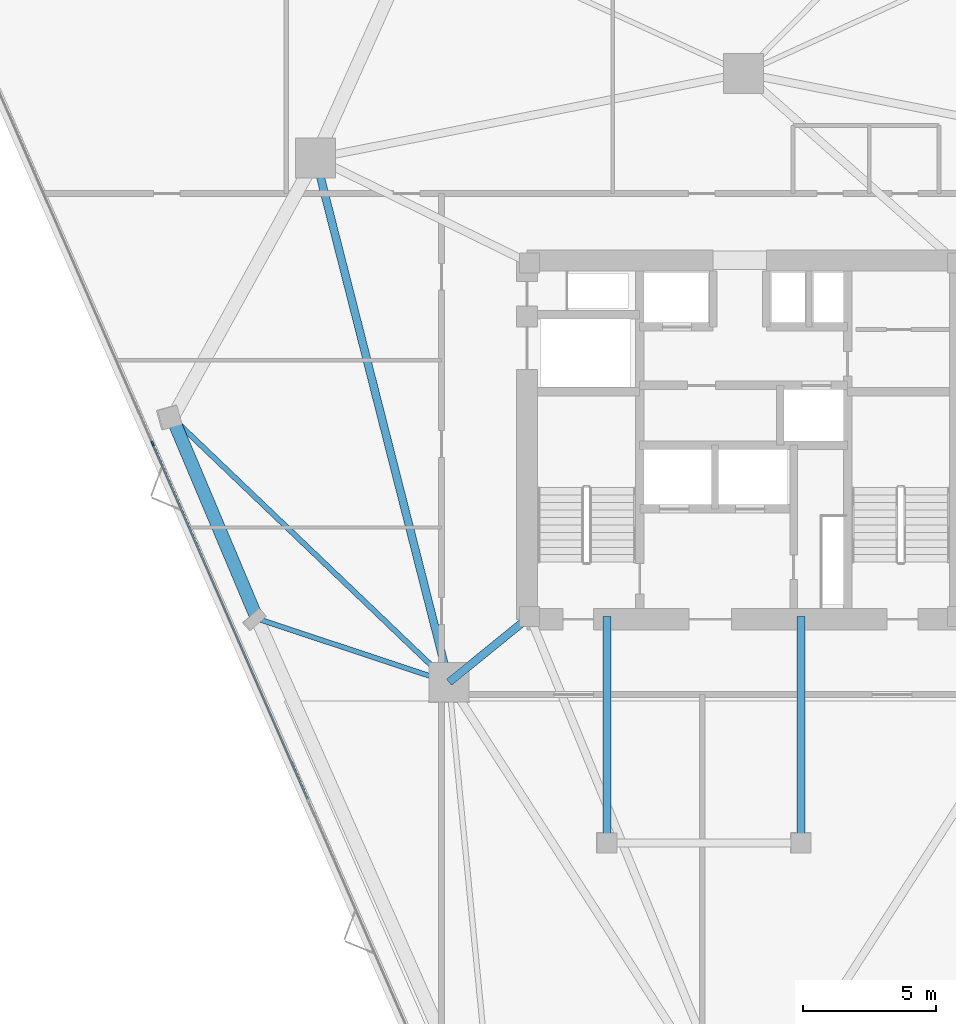
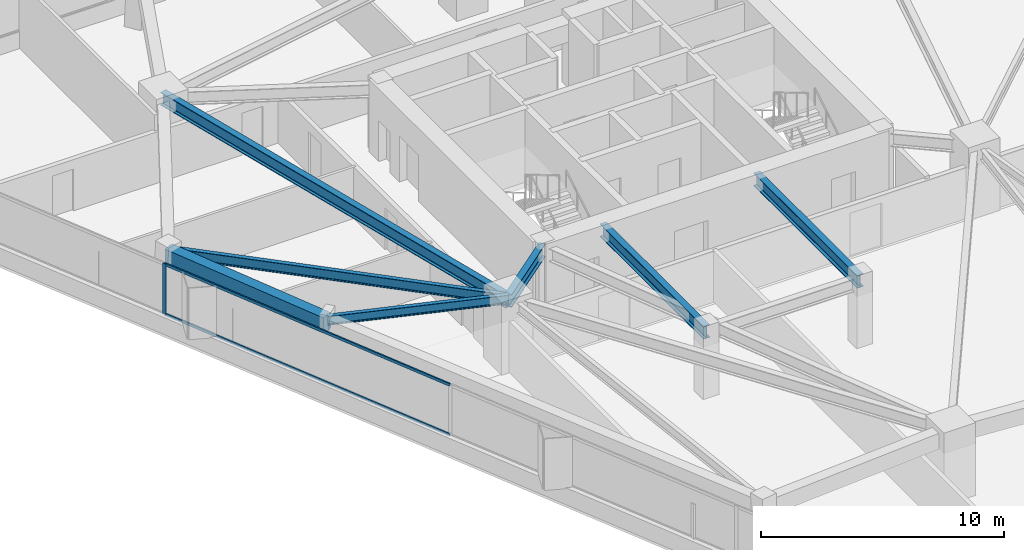
# One storey, part 4 of 13: 7 beams, 3 members, 1 element without a shape of its own.
"""IFC4 building model written with IfcOpenShell, lengths in metres."""

from ifc_helpers import new_model, si_unit, direction, frame, origin, origin_2d, place, context, subcontext, project, spatial, rectangle, i_section, extrude, material, layer, layer_set, material_profile, profile_set, type_object, element, aggregate, save


model = new_model("IFC4")

# Units and contexts
model_context = context("Model", 3, precision=1e-05, world=origin(), true_north=direction((0.0, 1.0)))
body_context = subcontext(model_context, "Body", "Model", "MODEL_VIEW")
ifc_project = project(units=[si_unit("LENGTHUNIT", "METRE"), si_unit("AREAUNIT", "SQUARE_METRE"), si_unit("VOLUMEUNIT", "CUBIC_METRE"), si_unit("PLANEANGLEUNIT", "RADIAN"), si_unit("MASSUNIT", "GRAM", prefix="KILO")], contexts=[model_context])

# Site, building, storey
site_placement = place(None, origin())
site = spatial("IfcSite", under=ifc_project, at=site_placement, CompositionType="ELEMENT")
building_placement = place(site_placement, origin())
building = spatial("IfcBuilding", under=site, at=building_placement, Name="Talyreon Biosciences Tower", CompositionType="ELEMENT")
storey_placement = place(building_placement, frame((0.0, 0.0, 145.449951171875)))
storey = spatial("IfcBuildingStorey", under=building, at=storey_placement, Name="L38", CompositionType="ELEMENT", Elevation=145.449951171875)

# Curtain wall, members
ifc_material_1 = material(Name="Thermally broken aluminium and low-E glazing", Category="aluminium")
ifc_layer = layer(ifc_material_1, 0.18505859375)
ifc_layer_set = layer_set([ifc_layer], Name="Thermally broken aluminium and low-E glazing")
curtain_wall_type = type_object("IfcCurtainWallType", Name="CurtainWall_Zone3Bioprocess", PredefinedType="NOTDEFINED", material=ifc_layer_set)
curtain_wall_placement = place(storey_placement, origin())
curtain_wall = element("IfcCurtainWall", 1, at=curtain_wall_placement, inside=storey, type_object=curtain_wall_type, Name="L38 Unitised Curtain Wall FCW-L38-00", PredefinedType="NOTDEFINED")
ifc_material_2 = material(Name="Anodised thermally broken aluminium", Category="aluminium")
ifc_material_profile_1 = material_profile(ifc_material_2, rectangle(XDim=0.06494140625, YDim=0.179931640625, at=origin_2d()), Name="ALUM MULLION 65x180")
ifc_profile_set_1 = profile_set([ifc_material_profile_1], Name="Anodised thermally broken aluminium")
member_type_1 = type_object("IfcMemberType", Name="CWMullion_65x180", PredefinedType="MULLION", material=ifc_profile_set_1)
member_1_placement = place(storey_placement, frame((43.762451171875, 67.861328125, 0.81005859375), z_axis=(0.0, 0.0, 1.0), x_axis=(-0.916646882049, -0.399698003034, 0.0)))
member_1 = element("IfcMember", 2, at=member_1_placement, type_object=member_type_1, Name="CW4 mullion 4", PredefinedType="MULLION", context=body_context, shape_type="SweptSolid", body=[
    extrude(rectangle(XDim=0.06494140625, YDim=0.179931640625, at=origin_2d()), origin(), (0.0, 0.0, 1.0), 2.56494140625),
])
ifc_material_profile_2 = material_profile(ifc_material_2, rectangle(XDim=0.06494140625, YDim=0.139892578125, at=origin_2d()), Name="ALUM TRANSOM 65x140")
ifc_profile_set_2 = profile_set([ifc_material_profile_2], Name="Anodised thermally broken aluminium")
member_type_2 = type_object("IfcMemberType", Name="CWTransom_65x140", PredefinedType="USERDEFINED", material=ifc_profile_set_2)
member_2_placement = place(storey_placement, frame((49.59765625, 54.479248046875, 0.842529296875), z_axis=(-0.399702786564, 0.916644796207, 0.0), x_axis=(-0.916644796207, -0.399702786564, 0.0)))
member_2 = element("IfcMember", 3, at=member_2_placement, type_object=member_type_2, Name="CW4 transom 3.1", ObjectType="TRANSOM", PredefinedType="USERDEFINED", context=body_context, shape_type="SweptSolid", body=[
    extrude(rectangle(XDim=0.06494140625, YDim=0.139892578125, at=origin_2d()), origin(), (0.0, 0.0, 1.0), 14.56640625),
])
member_3_placement = place(storey_placement, frame((49.59765625, 54.479248046875, 3.342529296875), z_axis=(-0.399702786564, 0.916644796207, 0.0), x_axis=(-0.916644796207, -0.399702786564, 0.0)))
member_3 = element("IfcMember", 4, at=member_3_placement, type_object=member_type_2, Name="CW4 transom 3.2", ObjectType="TRANSOM", PredefinedType="USERDEFINED", context=body_context, shape_type="SweptSolid", body=[
    extrude(rectangle(XDim=0.06494140625, YDim=0.139892578125, at=origin_2d()), origin(), (0.0, 0.0, 1.0), 14.56640625),
])
aggregate(curtain_wall, [member_1, member_2, member_3])

# Beams
ifc_material_3 = material(Name="Precast concrete C45/55", Category="concrete")
ifc_material_profile_3 = material_profile(ifc_material_3, rectangle(XDim=0.5, YDim=0.780029296875, at=origin_2d()), Name="RCB 500x780")
ifc_profile_set_3 = profile_set([ifc_material_profile_3], Name="Precast concrete C45/55")
beam_type_1 = type_object("IfcBeamType", Name="ExpressedSpandrel_500x780", PredefinedType="SPANDREL", material=ifc_profile_set_3)
beam_1_placement = place(storey_placement, frame((44.509521484375, 68.825439453125, 2.985107421875), z_axis=(0.388464554923, -0.921463666982, 0.0), x_axis=(0.921463666982, 0.388464554923, 0.0)))
element("IfcBeam", 5, at=beam_1_placement, inside=storey, type_object=beam_type_1, Name="L38 Expressed Horizontal Concrete Spandrel 10", PredefinedType="SPANDREL", context=body_context, shape_type="SweptSolid", body=[
    extrude(rectangle(XDim=0.5, YDim=0.780029296875, at=origin_2d()), origin(), (0.0, 0.0, 1.0), 8.194091796875),
])
ifc_material_4 = material(Name="Steel SM355", Category="steel")
ifc_material_profile_4 = material_profile(ifc_material_4, i_section(OverallWidth=0.300048828125, OverallDepth=0.64990234375, WebThickness=0.01611328125, FlangeThickness=0.031005859375, FilletRadius=0.027099609375, at=origin_2d()), Name="HE650B")
ifc_profile_set_4 = profile_set([ifc_material_profile_4], Name="Steel SM355")
beam_type_2 = type_object("IfcBeamType", Name="SteelBeam_HE650B", PredefinedType="BEAM", material=ifc_profile_set_4)
beam_2_placement = place(storey_placement, frame((49.897705078125, 78.5986328125, 3.050048828125), z_axis=(0.246537082299, -0.969133358755, 0.0), x_axis=(0.969133358755, 0.246537082299, 0.0)))
element("IfcBeam", 6, at=beam_2_placement, inside=storey, type_object=beam_type_2, Name="L38 Mega-Ring Girder 5", PredefinedType="BEAM", context=body_context, shape_type="SweptSolid", body=[
    extrude(i_section(OverallWidth=0.300048828125, OverallDepth=0.64990234375, WebThickness=0.01611328125, FlangeThickness=0.031005859375, FilletRadius=0.027099609375, at=origin_2d()), origin(), (0.0, 0.0, 1.0), 20.34619140625),
])
beam_3_placement = place(storey_placement, frame((57.949951171875, 61.35009765625, 3.050048828125), z_axis=(-0.775755154013, -0.631034025249, 0.0), x_axis=(0.631034025249, -0.775755154013, 0.0)))
element("IfcBeam", 7, at=beam_3_placement, inside=storey, type_object=beam_type_2, Name="L38 Radial Primary Girder 6", PredefinedType="BEAM", context=body_context, shape_type="SweptSolid", body=[
    extrude(i_section(OverallWidth=0.300048828125, OverallDepth=0.64990234375, WebThickness=0.01611328125, FlangeThickness=0.031005859375, FilletRadius=0.027099609375, at=origin_2d()), origin(), (0.0, 0.0, 1.0), 3.913818359375),
])
for number, where, z_axis, x_axis, name in (
    (8, (60.85009765625, 52.840087890625, 3.050048828125), (0.0, 1.0, 0.0), (-1.0, 0.0, 0.0), "L38 Crown Shaft Tie Girder W"),
    (9, (68.14990234375, 52.840087890625, 3.050048828125), (0.0, 1.0, 0.0), (-1.0, 0.0, 0.0), "L38 Crown Shaft Tie Girder E"),
):
    element("IfcBeam", number, at=place(storey_placement, frame(where, z_axis=z_axis, x_axis=x_axis)), inside=storey, type_object=beam_type_2, Name=name, PredefinedType="BEAM", context=body_context, shape_type="SweptSolid", body=[
        extrude(i_section(OverallWidth=0.300048828125, OverallDepth=0.64990234375, WebThickness=0.01611328125, FlangeThickness=0.031005859375, FilletRadius=0.027099609375, at=origin_2d()), origin(), (0.0, 0.0, 1.0), 8.510009765625),
    ])
ifc_material_profile_5 = material_profile(ifc_material_4, i_section(OverallWidth=0.18994140625, OverallDepth=0.449951171875, WebThickness=0.009521484375, FlangeThickness=0.0146484375, FilletRadius=0.02099609375, at=origin_2d()), Name="IPE450")
ifc_profile_set_5 = profile_set([ifc_material_profile_5], Name="Steel SM355")
beam_type_3 = type_object("IfcBeamType", Name="SteelJoist_IPE450", PredefinedType="JOIST", material=ifc_profile_set_5)
beam_4_placement = place(storey_placement, frame((54.913818359375, 58.88037109375, 3.150146484375), z_axis=(-0.949176335105, 0.314744793249, 0.0), x_axis=(-0.314744793249, -0.949176335105, 0.0)))
element("IfcBeam", 10, at=beam_4_placement, inside=storey, type_object=beam_type_3, Name="L38 Radial Composite Floor Joist PL-SW", PredefinedType="JOIST", context=body_context, shape_type="SweptSolid", body=[
    extrude(i_section(OverallWidth=0.18994140625, OverallDepth=0.449951171875, WebThickness=0.009521484375, FlangeThickness=0.0146484375, FilletRadius=0.02099609375, at=origin_2d()), origin(), (0.0, 0.0, 1.0), 7.60791015625),
])
ifc_material_profile_6 = material_profile(ifc_material_4, i_section(OverallWidth=0.199951171875, OverallDepth=0.5, WebThickness=0.01025390625, FlangeThickness=0.01611328125, FilletRadius=0.02099609375, at=origin_2d()), Name="IPE500")
ifc_profile_set_6 = profile_set([ifc_material_profile_6], Name="Steel SM355")
beam_type_4 = type_object("IfcBeamType", Name="SteelJoist_IPE500", PredefinedType="JOIST", material=ifc_profile_set_6)
beam_5_placement = place(storey_placement, frame((54.913818359375, 58.88037109375, 3.125), z_axis=(-0.722880161981, 0.690973423088, 0.0), x_axis=(-0.690973423088, -0.722880161981, 0.0)))
element("IfcBeam", 11, at=beam_5_placement, inside=storey, type_object=beam_type_4, Name="L38 Radial Composite Floor Joist PC-SW1", PredefinedType="JOIST", context=body_context, shape_type="SweptSolid", body=[
    extrude(i_section(OverallWidth=0.199951171875, OverallDepth=0.5, WebThickness=0.01025390625, FlangeThickness=0.01611328125, FilletRadius=0.02099609375, at=origin_2d()), origin(), (0.0, 0.0, 1.0), 14.392822265625),
])

save(model, "model.ifc")
